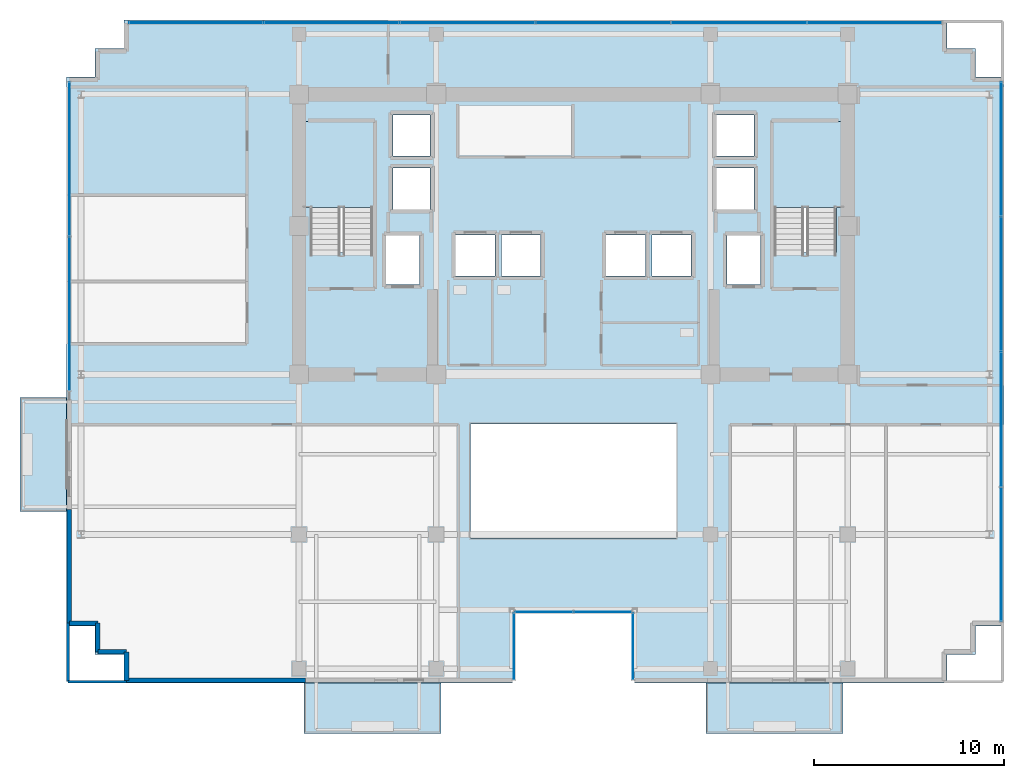
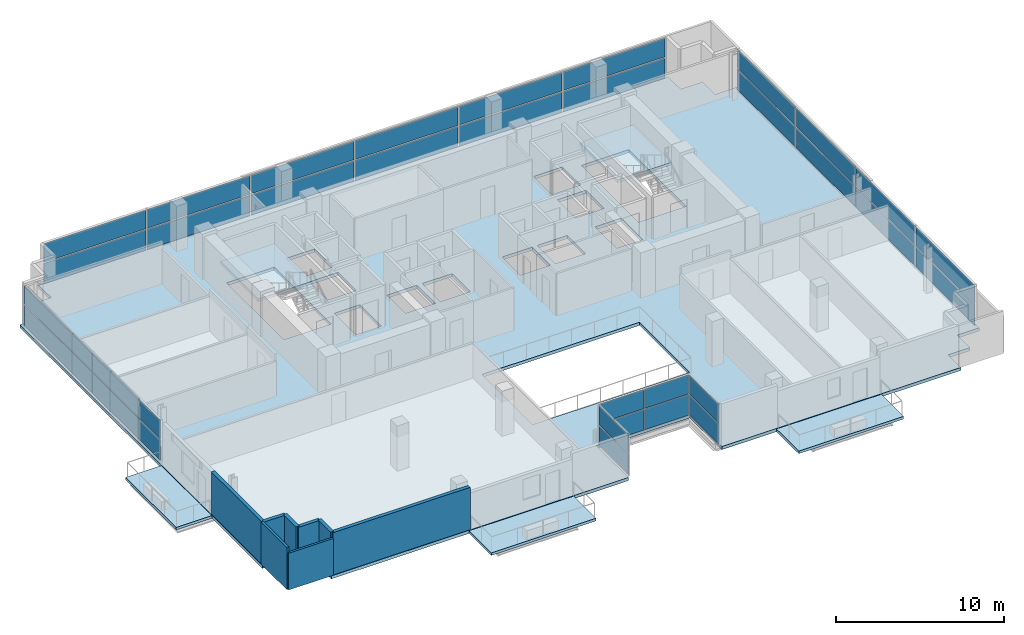
# One storey, part 13 of 21: 32 plates, 8 walls, 6 slabs, 8 elements without a shape of their own.
"""IFC4 building model written with IfcOpenShell, lengths in metres."""

from ifc_helpers import new_model, si_unit, direction, frame, frame_2d, origin, origin_2d, place, context, subcontext, project, spatial, polyline, rectangle, outline, extrude, source, transform, mapped, material, layer, layer_set, type_object, element, aggregate, save


model = new_model("IFC4")

# Units and contexts
model_context = context("Model", 3, precision=1e-05, world=origin(), true_north=direction((0.0, 1.0)))
body_context = subcontext(model_context, "Body", "Model", "MODEL_VIEW")
ifc_project = project(units=[si_unit("LENGTHUNIT", "METRE"), si_unit("AREAUNIT", "SQUARE_METRE"), si_unit("VOLUMEUNIT", "CUBIC_METRE"), si_unit("PLANEANGLEUNIT", "RADIAN"), si_unit("MASSUNIT", "GRAM", prefix="KILO")], contexts=[model_context])

# Site, building, storey
site_placement = place(None, origin())
site = spatial("IfcSite", under=ifc_project, at=site_placement, CompositionType="ELEMENT")
building_placement = place(site_placement, origin())
building = spatial("IfcBuilding", under=site, at=building_placement, Name="Zarnakvel Exchange Tower", CompositionType="ELEMENT")
storey_placement = place(building_placement, frame((0.0, 0.0, 152.800048828125)))
storey = spatial("IfcBuildingStorey", under=building, at=storey_placement, Name="L42", CompositionType="ELEMENT", Elevation=152.800048828125)

# Stair, slab
ifc_material_1 = material(Name="Concrete C40/50", Category="concrete")
stair_type = type_object("IfcStairType", Name="STR-01", PredefinedType="HALF_TURN_STAIR", material=ifc_material_1)
stair_1_placement = place(storey_placement, origin())
stair_1 = element("IfcStair", 1, at=stair_1_placement, inside=storey, type_object=stair_type, Name="L42 Protected Core Exit Stair ST-01", PredefinedType="HALF_TURN_STAIR")
ifc_layer_1 = layer(ifc_material_1, 0.199951171875)
ifc_layer_set_1 = layer_set([ifc_layer_1], Name="Concrete C40/50")
slab_type_1 = type_object("IfcSlabType", Name="LDG-01", PredefinedType="LANDING", material=ifc_layer_set_1)
slab_1_placement = place(storey_placement, frame((0.0, 0.0, 1.449951171875)))
slab_1 = element("IfcSlab", 2, at=slab_1_placement, type_object=slab_type_1, Name="ST-01 landing 1", PredefinedType="LANDING", context=body_context, shape_type="SweptSolid", body=[
    extrude(outline(polyline([(-14.18994140625, 7.570068359375), (-10.4599609375, 7.570068359375), (-10.4599609375, 12.080078125), (-14.18994140625, 12.080078125), (-14.18994140625, 7.570068359375)])), origin(), (0.0, 0.0, 1.0), 0.199951171875),
])
aggregate(stair_1, [slab_1])

stair_2_placement = place(storey_placement, origin())
stair_2 = element("IfcStair", 3, at=stair_2_placement, inside=storey, type_object=stair_type, Name="L42 Protected Core Exit Stair ST-02", PredefinedType="HALF_TURN_STAIR")
slab_2_placement = place(storey_placement, frame((0.0, 0.0, 1.449951171875)))
slab_2 = element("IfcSlab", 4, at=slab_2_placement, type_object=slab_type_1, Name="ST-02 landing 1", PredefinedType="LANDING", context=body_context, shape_type="SweptSolid", body=[
    extrude(outline(polyline([(10.4599609375, 7.570068359375), (14.18994140625, 7.570068359375), (14.18994140625, 12.080078125), (10.4599609375, 12.080078125), (10.4599609375, 7.570068359375)])), origin(), (0.0, 0.0, 1.0), 0.199951171875),
])
aggregate(stair_2, [slab_2])

# Slabs
ifc_layer_2 = layer(ifc_material_1, 0.22509765625)
ifc_layer_set_2 = layer_set([ifc_layer_2], Name="Concrete C40/50")
slab_type_2 = type_object("IfcSlabType", Name="SL-04", PredefinedType="FLOOR", material=ifc_layer_set_2)
slab_3_placement = place(storey_placement, frame((0.0, 0.0, -0.22509765625)))
element("IfcSlab", 5, at=slab_3_placement, inside=storey, type_object=slab_type_2, Name="L42 Primary Structural Floor Slab", PredefinedType="FLOOR", context=body_context, shape_type="SweptSolid", body=[
    extrude(outline(polyline([(-26.60009765625, -14.39990234375), (-25.10009765625, -14.39990234375), (-25.10009765625, -15.89990234375), (-23.60009765625, -15.89990234375), (-23.60009765625, -17.39990234375), (-3.199951171875, -17.39990234375), (-3.199951171875, -13.60009765625), (3.199951171875, -13.60009765625), (3.199951171875, -17.39990234375), (19.60009765625, -17.39990234375), (19.60009765625, -15.89990234375), (21.10009765625, -15.89990234375), (21.10009765625, -14.39990234375), (22.60009765625, -14.39990234375), (22.60009765625, 14.39990234375), (21.10009765625, 14.39990234375), (21.10009765625, 15.89990234375), (19.60009765625, 15.89990234375), (19.60009765625, 17.39990234375), (-23.60009765625, 17.39990234375), (-23.60009765625, 15.89990234375), (-25.10009765625, 15.89990234375), (-25.10009765625, 14.39990234375), (-26.60009765625, 14.39990234375), (-26.60009765625, -14.39990234375)]), holes=[polyline([(-5.39990234375, -9.800048828125), (5.39990234375, -9.800048828125), (5.39990234375, -3.800048828125), (-5.39990234375, -3.800048828125), (-5.39990234375, -9.800048828125)]), polyline([(-13.800048828125, 5.2099609375), (-10.5400390625, 5.2099609375), (-10.5400390625, 12.0), (-13.800048828125, 12.0), (-13.800048828125, 5.2099609375)]), polyline([(10.5400390625, 5.2099609375), (13.800048828125, 5.2099609375), (13.800048828125, 12.0), (10.5400390625, 12.0), (10.5400390625, 5.2099609375)]), polyline([(-9.830078125, 3.52001953125), (-8.070068359375, 3.52001953125), (-8.070068359375, 6.080078125), (-9.830078125, 6.080078125), (-9.830078125, 3.52001953125)]), polyline([(8.070068359375, 3.52001953125), (9.830078125, 3.52001953125), (9.830078125, 6.080078125), (8.070068359375, 6.080078125), (8.070068359375, 3.52001953125)]), polyline([(-6.179931640625, 3.969970703125), (-4.1201171875, 3.969970703125), (-4.1201171875, 6.1298828125), (-6.179931640625, 6.1298828125), (-6.179931640625, 3.969970703125)]), polyline([(-3.780029296875, 3.969970703125), (-1.719970703125, 3.969970703125), (-1.719970703125, 6.1298828125), (-3.780029296875, 6.1298828125), (-3.780029296875, 3.969970703125)]), polyline([(1.719970703125, 3.969970703125), (3.780029296875, 3.969970703125), (3.780029296875, 6.1298828125), (1.719970703125, 6.1298828125), (1.719970703125, 3.969970703125)]), polyline([(4.1201171875, 3.969970703125), (6.179931640625, 3.969970703125), (6.179931640625, 6.1298828125), (4.1201171875, 6.1298828125), (4.1201171875, 3.969970703125)]), polyline([(-9.47998046875, 7.469970703125), (-7.52001953125, 7.469970703125), (-7.52001953125, 9.6298828125), (-9.47998046875, 9.6298828125), (-9.47998046875, 7.469970703125)]), polyline([(-9.47998046875, 10.27001953125), (-7.52001953125, 10.27001953125), (-7.52001953125, 12.429931640625), (-9.47998046875, 12.429931640625), (-9.47998046875, 10.27001953125)]), polyline([(7.52001953125, 7.469970703125), (9.47998046875, 7.469970703125), (9.47998046875, 9.6298828125), (7.52001953125, 9.6298828125), (7.52001953125, 7.469970703125)]), polyline([(7.52001953125, 10.27001953125), (9.47998046875, 10.27001953125), (9.47998046875, 12.429931640625), (7.52001953125, 12.429931640625), (7.52001953125, 10.27001953125)])]), origin(), (0.0, 0.0, 1.0), 0.22509765625),
])
ifc_layer_3 = layer(ifc_material_1, 0.18994140625)
ifc_layer_set_3 = layer_set([ifc_layer_3], Name="Concrete C40/50")
slab_type_3 = type_object("IfcSlabType", Name="SL-08", PredefinedType="USERDEFINED", material=ifc_layer_set_3)
slab_4_placement = place(storey_placement, frame((0.0, 0.0, -0.22509765625)))
element("IfcSlab", 6, at=slab_4_placement, inside=storey, type_object=slab_type_3, Name="L42 Planted Loggia Balcony Slab BAL-L42-SW", ObjectType="BALCONY", PredefinedType="USERDEFINED", context=body_context, shape_type="SweptSolid", body=[
    extrude(outline(polyline([(-14.14990234375, -20.050048828125), (-6.949951171875, -20.050048828125), (-6.949951171875, -17.39990234375), (-14.14990234375, -17.39990234375), (-14.14990234375, -20.050048828125)])), origin(), (0.0, 0.0, 1.0), 0.18994140625),
])
slab_5_placement = place(storey_placement, frame((0.0, 0.0, -0.22509765625)))
element("IfcSlab", 7, at=slab_5_placement, inside=storey, type_object=slab_type_3, Name="L42 Planted Loggia Balcony Slab BAL-L42-SE", ObjectType="BALCONY", PredefinedType="USERDEFINED", context=body_context, shape_type="SweptSolid", body=[
    extrude(outline(polyline([(6.949951171875, -20.050048828125), (14.14990234375, -20.050048828125), (14.14990234375, -17.39990234375), (6.949951171875, -17.39990234375), (6.949951171875, -20.050048828125)])), origin(), (0.0, 0.0, 1.0), 0.18994140625),
])
slab_6_placement = place(storey_placement, frame((0.0, 0.0, -0.22509765625)))
element("IfcSlab", 8, at=slab_6_placement, inside=storey, type_object=slab_type_3, Name="L42 Planted Loggia Balcony Slab BAL-L42-W", ObjectType="BALCONY", PredefinedType="USERDEFINED", context=body_context, shape_type="SweptSolid", body=[
    extrude(outline(polyline([(-29.050048828125, -8.39990234375), (-26.60009765625, -8.39990234375), (-26.60009765625, -2.39990234375), (-29.050048828125, -2.39990234375), (-29.050048828125, -8.39990234375)])), origin(), (0.0, 0.0, 1.0), 0.18994140625),
])

# Curtain wall, plate
ifc_material_2 = material(Name="Architectural Bronze Anodised Aluminium", Category="aluminium")
ifc_layer_4 = layer(ifc_material_2, 0.179931640625)
ifc_layer_set_4 = layer_set([ifc_layer_4], Name="Architectural Bronze Anodised Aluminium")
curtain_wall_type_1 = type_object("IfcCurtainWallType", Name="CW-05", PredefinedType="NOTDEFINED", material=ifc_layer_set_4)
curtain_wall_1_placement = place(storey_placement, origin())
curtain_wall_1 = element("IfcCurtainWall", 9, at=curtain_wall_1_placement, inside=storey, type_object=curtain_wall_type_1, Name="L42 Curtain Wall CW-L42-SLW (CW-05)", PredefinedType="NOTDEFINED")
ifc_material_3 = material(Name="Double Low-E Laminated Vision Glass", Category="glass")
ifc_layer_5 = layer(ifc_material_3, 0.02587890625)
ifc_layer_set_5 = layer_set([ifc_layer_5], Name="Double Low-E Laminated Vision Glass")
plate_type_1 = type_object("IfcPlateType", Name="CWP-05", PredefinedType="CURTAIN_PANEL", material=ifc_layer_set_5)
shared_shape_1 = source(origin(), body_context, "Body", "SweptSolid", [
    extrude(rectangle(XDim=3.4599609375, YDim=0.02587890625, at=origin_2d()), origin(), (0.0, 0.0, 1.0), 1.483642578125),
])
plate_1_placement = place(storey_placement, frame((-3.1201171875, -15.47998046875, 0.06982421875), z_axis=(0.0, 0.0, 1.0), x_axis=(0.0, 1.0, 0.0)))
plate_1 = element("IfcPlate", 10, at=plate_1_placement, type_object=plate_type_1, Name="CW-05 panel 1.1", PredefinedType="CURTAIN_PANEL", context=body_context, shape_type="MappedRepresentation", body=[
    mapped(shared_shape_1, transform((0.0, 0.0, 0.0), x_axis=(1.0, 0.0, 0.0), y_axis=(0.0, 1.0, 0.0), z_axis=(0.0, 0.0, 1.0), scale=1.0)),
])

curtain_wall_2_placement = place(storey_placement, origin())
curtain_wall_2 = element("IfcCurtainWall", 11, at=curtain_wall_2_placement, inside=storey, type_object=curtain_wall_type_1, Name="L42 Curtain Wall CW-L42-SLE (CW-05)", PredefinedType="NOTDEFINED")
plate_2_placement = place(storey_placement, frame((3.1201171875, -15.47998046875, 0.06982421875), z_axis=(0.0, 0.0, 1.0), x_axis=(0.0, -1.0, 0.0)))
plate_2 = element("IfcPlate", 12, at=plate_2_placement, type_object=plate_type_1, Name="CW-05 panel 1.1", PredefinedType="CURTAIN_PANEL", context=body_context, shape_type="MappedRepresentation", body=[
    mapped(shared_shape_1, transform((0.0, 0.0, 0.0), x_axis=(1.0, 0.0, 0.0), y_axis=(0.0, 1.0, 0.0), z_axis=(0.0, 0.0, 1.0), scale=1.0)),
])

# Plate
shared_shape_2 = source(origin(), body_context, "Body", "SweptSolid", [
    extrude(rectangle(XDim=3.4599609375, YDim=0.02587890625, at=origin_2d()), origin(), (0.0, 0.0, 1.0), 1.361328125),
])
plate_3_placement = place(storey_placement, frame((-3.1201171875, -15.47998046875, 1.62353515625), z_axis=(0.0, 0.0, 1.0), x_axis=(0.0, 1.0, 0.0)))
plate_3 = element("IfcPlate", 13, at=plate_3_placement, type_object=plate_type_1, Name="CW-05 panel 1.2", PredefinedType="CURTAIN_PANEL", context=body_context, shape_type="MappedRepresentation", body=[
    mapped(shared_shape_2, transform((0.0, 0.0, 0.0), x_axis=(1.0, 0.0, 0.0), y_axis=(0.0, 1.0, 0.0), z_axis=(0.0, 0.0, 1.0), scale=1.0)),
])

aggregate(curtain_wall_1, [plate_1, plate_3])

plate_4_placement = place(storey_placement, frame((3.1201171875, -15.47998046875, 1.62353515625), z_axis=(0.0, 0.0, 1.0), x_axis=(0.0, -1.0, 0.0)))
plate_4 = element("IfcPlate", 14, at=plate_4_placement, type_object=plate_type_1, Name="CW-05 panel 1.2", PredefinedType="CURTAIN_PANEL", context=body_context, shape_type="MappedRepresentation", body=[
    mapped(shared_shape_2, transform((0.0, 0.0, 0.0), x_axis=(1.0, 0.0, 0.0), y_axis=(0.0, 1.0, 0.0), z_axis=(0.0, 0.0, 1.0), scale=1.0)),
])

aggregate(curtain_wall_2, [plate_2, plate_4])

# Curtain wall, plates
curtain_wall_3_placement = place(storey_placement, origin())
curtain_wall_3 = element("IfcCurtainWall", 15, at=curtain_wall_3_placement, inside=storey, type_object=curtain_wall_type_1, Name="L42 Curtain Wall CW-L42-SLB (CW-05)", PredefinedType="NOTDEFINED")
shared_shape_3 = source(origin(), body_context, "Body", "SweptSolid", [
    extrude(rectangle(XDim=3.014892578125, YDim=0.02587890625, at=origin_2d()), origin(), (0.0, 0.0, 1.0), 1.483642578125),
])
plate_5_placement = place(storey_placement, frame((-1.54248046875, -13.679931640625, 0.06982421875), z_axis=(0.0, 0.0, 1.0), x_axis=(1.0, 0.0, 0.0)))
plate_5 = element("IfcPlate", 16, at=plate_5_placement, type_object=plate_type_1, Name="CW-05 panel 1.1", PredefinedType="CURTAIN_PANEL", context=body_context, shape_type="MappedRepresentation", body=[
    mapped(shared_shape_3, transform((0.0, 0.0, 0.0), x_axis=(1.0, 0.0, 0.0), y_axis=(0.0, 1.0, 0.0), z_axis=(0.0, 0.0, 1.0), scale=1.0)),
])
plate_6_placement = place(storey_placement, frame((1.54248046875, -13.679931640625, 0.06982421875), z_axis=(0.0, 0.0, 1.0), x_axis=(1.0, 0.0, 0.0)))
plate_6 = element("IfcPlate", 17, at=plate_6_placement, type_object=plate_type_1, Name="CW-05 panel 2.1", PredefinedType="CURTAIN_PANEL", context=body_context, shape_type="MappedRepresentation", body=[
    mapped(shared_shape_3, transform((0.0, 0.0, 0.0), x_axis=(1.0, 0.0, 0.0), y_axis=(0.0, 1.0, 0.0), z_axis=(0.0, 0.0, 1.0), scale=1.0)),
])
shared_shape_4 = source(origin(), body_context, "Body", "SweptSolid", [
    extrude(rectangle(XDim=3.014892578125, YDim=0.02587890625, at=origin_2d()), origin(), (0.0, 0.0, 1.0), 1.361328125),
])
plate_7_placement = place(storey_placement, frame((-1.54248046875, -13.679931640625, 1.62353515625), z_axis=(0.0, 0.0, 1.0), x_axis=(1.0, 0.0, 0.0)))
plate_7 = element("IfcPlate", 18, at=plate_7_placement, type_object=plate_type_1, Name="CW-05 panel 1.2", PredefinedType="CURTAIN_PANEL", context=body_context, shape_type="MappedRepresentation", body=[
    mapped(shared_shape_4, transform((0.0, 0.0, 0.0), x_axis=(1.0, 0.0, 0.0), y_axis=(0.0, 1.0, 0.0), z_axis=(0.0, 0.0, 1.0), scale=1.0)),
])
plate_8_placement = place(storey_placement, frame((1.54248046875, -13.679931640625, 1.62353515625), z_axis=(0.0, 0.0, 1.0), x_axis=(1.0, 0.0, 0.0)))
plate_8 = element("IfcPlate", 19, at=plate_8_placement, type_object=plate_type_1, Name="CW-05 panel 2.2", PredefinedType="CURTAIN_PANEL", context=body_context, shape_type="MappedRepresentation", body=[
    mapped(shared_shape_4, transform((0.0, 0.0, 0.0), x_axis=(1.0, 0.0, 0.0), y_axis=(0.0, 1.0, 0.0), z_axis=(0.0, 0.0, 1.0), scale=1.0)),
])
aggregate(curtain_wall_3, [plate_5, plate_7, plate_6, plate_8])

ifc_layer_6 = layer(ifc_material_2, 0.219970703125)
ifc_layer_set_6 = layer_set([ifc_layer_6], Name="Architectural Bronze Anodised Aluminium")
curtain_wall_type_2 = type_object("IfcCurtainWallType", Name="CW-03", PredefinedType="NOTDEFINED", material=ifc_layer_set_6)
curtain_wall_4_placement = place(storey_placement, origin())
curtain_wall_4 = element("IfcCurtainWall", 20, at=curtain_wall_4_placement, inside=storey, type_object=curtain_wall_type_2, Name="L42 Curtain Wall CW-L42-N1 (CW-03)", PredefinedType="NOTDEFINED")
ifc_layer_7 = layer(ifc_material_3, 0.030029296875)
ifc_layer_set_7 = layer_set([ifc_layer_7], Name="Double Low-E Laminated Vision Glass")
plate_type_2 = type_object("IfcPlateType", Name="CWP-03", PredefinedType="CURTAIN_PANEL", material=ifc_layer_set_7)
shared_shape_5 = source(origin(), body_context, "Body", "SweptSolid", [
    extrude(rectangle(XDim=7.013427734375, YDim=0.030029296875, at=origin_2d()), origin(), (0.0, 0.0, 1.0), 1.468505859375),
])
plate_9_placement = place(storey_placement, frame((-19.813232421875, 17.260009765625, 0.080078125), z_axis=(0.0, 0.0, 1.0), x_axis=(1.0, 0.0, 0.0)))
plate_9 = element("IfcPlate", 21, at=plate_9_placement, type_object=plate_type_2, Name="CW-03 panel 1.1", PredefinedType="CURTAIN_PANEL", context=body_context, shape_type="MappedRepresentation", body=[
    mapped(shared_shape_5, transform((0.0, 0.0, 0.0), x_axis=(1.0, 0.0, 0.0), y_axis=(0.0, 1.0, 0.0), z_axis=(0.0, 0.0, 1.0), scale=1.0)),
])
plate_10_placement = place(storey_placement, frame((15.813232421875, 17.260009765625, 0.080078125), z_axis=(0.0, 0.0, 1.0), x_axis=(1.0, 0.0, 0.0)))
plate_10 = element("IfcPlate", 22, at=plate_10_placement, type_object=plate_type_2, Name="CW-03 panel 6.1", PredefinedType="CURTAIN_PANEL", context=body_context, shape_type="MappedRepresentation", body=[
    mapped(shared_shape_5, transform((0.0, 0.0, 0.0), x_axis=(1.0, 0.0, 0.0), y_axis=(0.0, 1.0, 0.0), z_axis=(0.0, 0.0, 1.0), scale=1.0)),
])
shared_shape_6 = source(origin(), body_context, "Body", "SweptSolid", [
    extrude(rectangle(XDim=7.013427734375, YDim=0.030029296875, at=origin_2d()), origin(), (0.0, 0.0, 1.0), 1.346435546875),
])
plate_11_placement = place(storey_placement, frame((-19.813232421875, 17.260009765625, 1.62841796875), z_axis=(0.0, 0.0, 1.0), x_axis=(1.0, 0.0, 0.0)))
plate_11 = element("IfcPlate", 23, at=plate_11_placement, type_object=plate_type_2, Name="CW-03 panel 1.2", PredefinedType="CURTAIN_PANEL", context=body_context, shape_type="MappedRepresentation", body=[
    mapped(shared_shape_6, transform((0.0, 0.0, 0.0), x_axis=(1.0, 0.0, 0.0), y_axis=(0.0, 1.0, 0.0), z_axis=(0.0, 0.0, 1.0), scale=1.0)),
])
plate_12_placement = place(storey_placement, frame((15.813232421875, 17.260009765625, 1.62841796875), z_axis=(0.0, 0.0, 1.0), x_axis=(1.0, 0.0, 0.0)))
plate_12 = element("IfcPlate", 24, at=plate_12_placement, type_object=plate_type_2, Name="CW-03 panel 6.2", PredefinedType="CURTAIN_PANEL", context=body_context, shape_type="MappedRepresentation", body=[
    mapped(shared_shape_6, transform((0.0, 0.0, 0.0), x_axis=(1.0, 0.0, 0.0), y_axis=(0.0, 1.0, 0.0), z_axis=(0.0, 0.0, 1.0), scale=1.0)),
])
shared_shape_7 = source(origin(), body_context, "Body", "SweptSolid", [
    extrude(rectangle(XDim=7.05322265625, YDim=0.030029296875, at=origin_2d()), origin(), (0.0, 0.0, 1.0), 1.468505859375),
])
plate_13_placement = place(storey_placement, frame((-12.699951171875, 17.260009765625, 0.080078125), z_axis=(0.0, 0.0, 1.0), x_axis=(1.0, 0.0, 0.0)))
plate_13 = element("IfcPlate", 25, at=plate_13_placement, type_object=plate_type_2, Name="CW-03 panel 2.1", PredefinedType="CURTAIN_PANEL", context=body_context, shape_type="MappedRepresentation", body=[
    mapped(shared_shape_7, transform((0.0, 0.0, 0.0), x_axis=(1.0, 0.0, 0.0), y_axis=(0.0, 1.0, 0.0), z_axis=(0.0, 0.0, 1.0), scale=1.0)),
])
plate_14_placement = place(storey_placement, frame((-5.566650390625, 17.260009765625, 0.080078125), z_axis=(0.0, 0.0, 1.0), x_axis=(1.0, 0.0, 0.0)))
plate_14 = element("IfcPlate", 26, at=plate_14_placement, type_object=plate_type_2, Name="CW-03 panel 3.1", PredefinedType="CURTAIN_PANEL", context=body_context, shape_type="MappedRepresentation", body=[
    mapped(shared_shape_7, transform((0.0, 0.0, 0.0), x_axis=(1.0, 0.0, 0.0), y_axis=(0.0, 1.0, 0.0), z_axis=(0.0, 0.0, 1.0), scale=1.0)),
])
plate_15_placement = place(storey_placement, frame((1.566650390625, 17.260009765625, 0.080078125), z_axis=(0.0, 0.0, 1.0), x_axis=(1.0, 0.0, 0.0)))
plate_15 = element("IfcPlate", 27, at=plate_15_placement, type_object=plate_type_2, Name="CW-03 panel 4.1", PredefinedType="CURTAIN_PANEL", context=body_context, shape_type="MappedRepresentation", body=[
    mapped(shared_shape_7, transform((0.0, 0.0, 0.0), x_axis=(1.0, 0.0, 0.0), y_axis=(0.0, 1.0, 0.0), z_axis=(0.0, 0.0, 1.0), scale=1.0)),
])
plate_16_placement = place(storey_placement, frame((8.699951171875, 17.260009765625, 0.080078125), z_axis=(0.0, 0.0, 1.0), x_axis=(1.0, 0.0, 0.0)))
plate_16 = element("IfcPlate", 28, at=plate_16_placement, type_object=plate_type_2, Name="CW-03 panel 5.1", PredefinedType="CURTAIN_PANEL", context=body_context, shape_type="MappedRepresentation", body=[
    mapped(shared_shape_7, transform((0.0, 0.0, 0.0), x_axis=(1.0, 0.0, 0.0), y_axis=(0.0, 1.0, 0.0), z_axis=(0.0, 0.0, 1.0), scale=1.0)),
])
shared_shape_8 = source(origin(), body_context, "Body", "SweptSolid", [
    extrude(rectangle(XDim=7.05322265625, YDim=0.030029296875, at=origin_2d()), origin(), (0.0, 0.0, 1.0), 1.346435546875),
])
plate_17_placement = place(storey_placement, frame((-12.699951171875, 17.260009765625, 1.62841796875), z_axis=(0.0, 0.0, 1.0), x_axis=(1.0, 0.0, 0.0)))
plate_17 = element("IfcPlate", 29, at=plate_17_placement, type_object=plate_type_2, Name="CW-03 panel 2.2", PredefinedType="CURTAIN_PANEL", context=body_context, shape_type="MappedRepresentation", body=[
    mapped(shared_shape_8, transform((0.0, 0.0, 0.0), x_axis=(1.0, 0.0, 0.0), y_axis=(0.0, 1.0, 0.0), z_axis=(0.0, 0.0, 1.0), scale=1.0)),
])
plate_18_placement = place(storey_placement, frame((-5.566650390625, 17.260009765625, 1.62841796875), z_axis=(0.0, 0.0, 1.0), x_axis=(1.0, 0.0, 0.0)))
plate_18 = element("IfcPlate", 30, at=plate_18_placement, type_object=plate_type_2, Name="CW-03 panel 3.2", PredefinedType="CURTAIN_PANEL", context=body_context, shape_type="MappedRepresentation", body=[
    mapped(shared_shape_8, transform((0.0, 0.0, 0.0), x_axis=(1.0, 0.0, 0.0), y_axis=(0.0, 1.0, 0.0), z_axis=(0.0, 0.0, 1.0), scale=1.0)),
])
plate_19_placement = place(storey_placement, frame((1.566650390625, 17.260009765625, 1.62841796875), z_axis=(0.0, 0.0, 1.0), x_axis=(1.0, 0.0, 0.0)))
plate_19 = element("IfcPlate", 31, at=plate_19_placement, type_object=plate_type_2, Name="CW-03 panel 4.2", PredefinedType="CURTAIN_PANEL", context=body_context, shape_type="MappedRepresentation", body=[
    mapped(shared_shape_8, transform((0.0, 0.0, 0.0), x_axis=(1.0, 0.0, 0.0), y_axis=(0.0, 1.0, 0.0), z_axis=(0.0, 0.0, 1.0), scale=1.0)),
])
plate_20_placement = place(storey_placement, frame((8.699951171875, 17.260009765625, 1.62841796875), z_axis=(0.0, 0.0, 1.0), x_axis=(1.0, 0.0, 0.0)))
plate_20 = element("IfcPlate", 32, at=plate_20_placement, type_object=plate_type_2, Name="CW-03 panel 5.2", PredefinedType="CURTAIN_PANEL", context=body_context, shape_type="MappedRepresentation", body=[
    mapped(shared_shape_8, transform((0.0, 0.0, 0.0), x_axis=(1.0, 0.0, 0.0), y_axis=(0.0, 1.0, 0.0), z_axis=(0.0, 0.0, 1.0), scale=1.0)),
])
aggregate(curtain_wall_4, [plate_9, plate_11, plate_13, plate_17, plate_14, plate_18, plate_15, plate_19, plate_16, plate_20, plate_10, plate_12])

ifc_layer_8 = layer(ifc_material_2, 0.199951171875)
ifc_layer_set_8 = layer_set([ifc_layer_8], Name="Architectural Bronze Anodised Aluminium")
curtain_wall_type_3 = type_object("IfcCurtainWallType", Name="CW-04", PredefinedType="NOTDEFINED", material=ifc_layer_set_8)
curtain_wall_5_placement = place(storey_placement, origin())
curtain_wall_5 = element("IfcCurtainWall", 33, at=curtain_wall_5_placement, inside=storey, type_object=curtain_wall_type_3, Name="L42 Curtain Wall CW-L42-WN (CW-04)", PredefinedType="NOTDEFINED")
ifc_layer_9 = layer(ifc_material_3, 0.028076171875)
ifc_layer_set_9 = layer_set([ifc_layer_9], Name="Double Low-E Laminated Vision Glass")
plate_type_3 = type_object("IfcPlateType", Name="CWP-04", PredefinedType="CURTAIN_PANEL", material=ifc_layer_set_9)
shared_shape_9 = source(origin(), body_context, "Body", "SweptSolid", [
    extrude(rectangle(XDim=8.03759765625, YDim=0.028076171875, at=origin_2d()), origin(), (0.0, 0.0, 1.0), 1.47607421875),
])
plate_21_placement = place(storey_placement, frame((-26.4599609375, 1.99365234375, 0.074951171875), z_axis=(0.0, 0.0, 1.0), x_axis=(0.0, 1.0, 0.0)))
plate_21 = element("IfcPlate", 34, at=plate_21_placement, type_object=plate_type_3, Name="CW-04 panel 1.1", PredefinedType="CURTAIN_PANEL", context=body_context, shape_type="MappedRepresentation", body=[
    mapped(shared_shape_9, transform((0.0, 0.0, 0.0), x_axis=(1.0, 0.0, 0.0), y_axis=(0.0, 1.0, 0.0), z_axis=(0.0, 0.0, 1.0), scale=1.0)),
])
plate_22_placement = place(storey_placement, frame((-26.4599609375, 10.106201171875, 0.074951171875), z_axis=(0.0, 0.0, 1.0), x_axis=(0.0, 1.0, 0.0)))
plate_22 = element("IfcPlate", 35, at=plate_22_placement, type_object=plate_type_3, Name="CW-04 panel 2.1", PredefinedType="CURTAIN_PANEL", context=body_context, shape_type="MappedRepresentation", body=[
    mapped(shared_shape_9, transform((0.0, 0.0, 0.0), x_axis=(1.0, 0.0, 0.0), y_axis=(0.0, 1.0, 0.0), z_axis=(0.0, 0.0, 1.0), scale=1.0)),
])
shared_shape_10 = source(origin(), body_context, "Body", "SweptSolid", [
    extrude(rectangle(XDim=8.03759765625, YDim=0.028076171875, at=origin_2d()), origin(), (0.0, 0.0, 1.0), 1.35400390625),
])
plate_23_placement = place(storey_placement, frame((-26.4599609375, 1.99365234375, 1.6259765625), z_axis=(0.0, 0.0, 1.0), x_axis=(0.0, 1.0, 0.0)))
plate_23 = element("IfcPlate", 36, at=plate_23_placement, type_object=plate_type_3, Name="CW-04 panel 1.2", PredefinedType="CURTAIN_PANEL", context=body_context, shape_type="MappedRepresentation", body=[
    mapped(shared_shape_10, transform((0.0, 0.0, 0.0), x_axis=(1.0, 0.0, 0.0), y_axis=(0.0, 1.0, 0.0), z_axis=(0.0, 0.0, 1.0), scale=1.0)),
])
plate_24_placement = place(storey_placement, frame((-26.4599609375, 10.106201171875, 1.6259765625), z_axis=(0.0, 0.0, 1.0), x_axis=(0.0, 1.0, 0.0)))
plate_24 = element("IfcPlate", 37, at=plate_24_placement, type_object=plate_type_3, Name="CW-04 panel 2.2", PredefinedType="CURTAIN_PANEL", context=body_context, shape_type="MappedRepresentation", body=[
    mapped(shared_shape_10, transform((0.0, 0.0, 0.0), x_axis=(1.0, 0.0, 0.0), y_axis=(0.0, 1.0, 0.0), z_axis=(0.0, 0.0, 1.0), scale=1.0)),
])
aggregate(curtain_wall_5, [plate_21, plate_23, plate_22, plate_24])

curtain_wall_6_placement = place(storey_placement, origin())
curtain_wall_6 = element("IfcCurtainWall", 38, at=curtain_wall_6_placement, inside=storey, type_object=curtain_wall_type_3, Name="L42 Curtain Wall CW-L42-E1 (CW-04)", PredefinedType="NOTDEFINED")
shared_shape_11 = source(origin(), body_context, "Body", "SweptSolid", [
    extrude(rectangle(XDim=6.987548828125, YDim=0.028076171875, at=origin_2d()), origin(), (0.0, 0.0, 1.0), 1.47607421875),
])
plate_25_placement = place(storey_placement, frame((22.4599609375, -10.63134765625, 0.074951171875), z_axis=(0.0, 0.0, 1.0), x_axis=(0.0, 1.0, 0.0)))
plate_25 = element("IfcPlate", 39, at=plate_25_placement, type_object=plate_type_3, Name="CW-04 panel 1.1", PredefinedType="CURTAIN_PANEL", context=body_context, shape_type="MappedRepresentation", body=[
    mapped(shared_shape_11, transform((0.0, 0.0, 0.0), x_axis=(1.0, 0.0, 0.0), y_axis=(0.0, 1.0, 0.0), z_axis=(0.0, 0.0, 1.0), scale=1.0)),
])
plate_26_placement = place(storey_placement, frame((22.4599609375, 10.63134765625, 0.074951171875), z_axis=(0.0, 0.0, 1.0), x_axis=(0.0, 1.0, 0.0)))
plate_26 = element("IfcPlate", 40, at=plate_26_placement, type_object=plate_type_3, Name="CW-04 panel 4.1", PredefinedType="CURTAIN_PANEL", context=body_context, shape_type="MappedRepresentation", body=[
    mapped(shared_shape_11, transform((0.0, 0.0, 0.0), x_axis=(1.0, 0.0, 0.0), y_axis=(0.0, 1.0, 0.0), z_axis=(0.0, 0.0, 1.0), scale=1.0)),
])
shared_shape_12 = source(origin(), body_context, "Body", "SweptSolid", [
    extrude(rectangle(XDim=6.987548828125, YDim=0.028076171875, at=origin_2d()), origin(), (0.0, 0.0, 1.0), 1.35400390625),
])
plate_27_placement = place(storey_placement, frame((22.4599609375, -10.63134765625, 1.6259765625), z_axis=(0.0, 0.0, 1.0), x_axis=(0.0, 1.0, 0.0)))
plate_27 = element("IfcPlate", 41, at=plate_27_placement, type_object=plate_type_3, Name="CW-04 panel 1.2", PredefinedType="CURTAIN_PANEL", context=body_context, shape_type="MappedRepresentation", body=[
    mapped(shared_shape_12, transform((0.0, 0.0, 0.0), x_axis=(1.0, 0.0, 0.0), y_axis=(0.0, 1.0, 0.0), z_axis=(0.0, 0.0, 1.0), scale=1.0)),
])
plate_28_placement = place(storey_placement, frame((22.4599609375, 10.63134765625, 1.6259765625), z_axis=(0.0, 0.0, 1.0), x_axis=(0.0, 1.0, 0.0)))
plate_28 = element("IfcPlate", 42, at=plate_28_placement, type_object=plate_type_3, Name="CW-04 panel 4.2", PredefinedType="CURTAIN_PANEL", context=body_context, shape_type="MappedRepresentation", body=[
    mapped(shared_shape_12, transform((0.0, 0.0, 0.0), x_axis=(1.0, 0.0, 0.0), y_axis=(0.0, 1.0, 0.0), z_axis=(0.0, 0.0, 1.0), scale=1.0)),
])
shared_shape_13 = source(origin(), body_context, "Body", "SweptSolid", [
    extrude(rectangle(XDim=7.02490234375, YDim=0.028076171875, at=origin_2d()), origin(), (0.0, 0.0, 1.0), 1.47607421875),
])
plate_29_placement = place(storey_placement, frame((22.4599609375, -3.550048828125, 0.074951171875), z_axis=(0.0, 0.0, 1.0), x_axis=(0.0, 1.0, 0.0)))
plate_29 = element("IfcPlate", 43, at=plate_29_placement, type_object=plate_type_3, Name="CW-04 panel 2.1", PredefinedType="CURTAIN_PANEL", context=body_context, shape_type="MappedRepresentation", body=[
    mapped(shared_shape_13, transform((0.0, 0.0, 0.0), x_axis=(1.0, 0.0, 0.0), y_axis=(0.0, 1.0, 0.0), z_axis=(0.0, 0.0, 1.0), scale=1.0)),
])
plate_30_placement = place(storey_placement, frame((22.4599609375, 3.550048828125, 0.074951171875), z_axis=(0.0, 0.0, 1.0), x_axis=(0.0, 1.0, 0.0)))
plate_30 = element("IfcPlate", 44, at=plate_30_placement, type_object=plate_type_3, Name="CW-04 panel 3.1", PredefinedType="CURTAIN_PANEL", context=body_context, shape_type="MappedRepresentation", body=[
    mapped(shared_shape_13, transform((0.0, 0.0, 0.0), x_axis=(1.0, 0.0, 0.0), y_axis=(0.0, 1.0, 0.0), z_axis=(0.0, 0.0, 1.0), scale=1.0)),
])
shared_shape_14 = source(origin(), body_context, "Body", "SweptSolid", [
    extrude(rectangle(XDim=7.02490234375, YDim=0.028076171875, at=origin_2d()), origin(), (0.0, 0.0, 1.0), 1.35400390625),
])
plate_31_placement = place(storey_placement, frame((22.4599609375, -3.550048828125, 1.6259765625), z_axis=(0.0, 0.0, 1.0), x_axis=(0.0, 1.0, 0.0)))
plate_31 = element("IfcPlate", 45, at=plate_31_placement, type_object=plate_type_3, Name="CW-04 panel 2.2", PredefinedType="CURTAIN_PANEL", context=body_context, shape_type="MappedRepresentation", body=[
    mapped(shared_shape_14, transform((0.0, 0.0, 0.0), x_axis=(1.0, 0.0, 0.0), y_axis=(0.0, 1.0, 0.0), z_axis=(0.0, 0.0, 1.0), scale=1.0)),
])
plate_32_placement = place(storey_placement, frame((22.4599609375, 3.550048828125, 1.6259765625), z_axis=(0.0, 0.0, 1.0), x_axis=(0.0, 1.0, 0.0)))
plate_32 = element("IfcPlate", 46, at=plate_32_placement, type_object=plate_type_3, Name="CW-04 panel 3.2", PredefinedType="CURTAIN_PANEL", context=body_context, shape_type="MappedRepresentation", body=[
    mapped(shared_shape_14, transform((0.0, 0.0, 0.0), x_axis=(1.0, 0.0, 0.0), y_axis=(0.0, 1.0, 0.0), z_axis=(0.0, 0.0, 1.0), scale=1.0)),
])
aggregate(curtain_wall_6, [plate_25, plate_27, plate_29, plate_31, plate_30, plate_32, plate_26, plate_28])

# Walls
ifc_material_4 = material(Name="Precast concrete C40/50", Category="concrete")
ifc_layer_10 = layer(ifc_material_4, 0.239990234375)
ifc_layer_set_10 = layer_set([ifc_layer_10], Name="Precast concrete C40/50")
wall_type_1 = type_object("IfcWallType", Name="EW-02", PredefinedType="SOLIDWALL", material=ifc_layer_set_10)
wall_1_placement = place(storey_placement, frame((-26.4599609375, -8.300048828125, 0.0), z_axis=(0.0, 0.0, 1.0), x_axis=(0.0, -1.0, 0.0)))
element("IfcWall", 47, at=wall_1_placement, inside=storey, type_object=wall_type_1, Name="L42 Exterior Precast Spandrel Wall EWC-L42-01 (EW-02)", PredefinedType="SOLIDWALL", context=body_context, shape_type="SweptSolid", body=[
    extrude(rectangle(XDim=5.9599609375, YDim=0.239990234375, at=frame_2d((2.97998046875, 0.0))), origin(), (0.0, 0.0, 1.0), 3.074951171875),
])
wall_2_placement = place(storey_placement, frame((-23.4599609375, -17.260009765625, 0.0), z_axis=(0.0, 0.0, 1.0), x_axis=(1.0, 0.0, 0.0)))
element("IfcWall", 48, at=wall_2_placement, inside=storey, type_object=wall_type_1, Name="L42 Exterior Precast Spandrel Wall EWC-L42-22 (EW-02)", PredefinedType="SOLIDWALL", context=body_context, shape_type="SweptSolid", body=[
    extrude(rectangle(XDim=9.409912109375, YDim=0.239990234375, at=frame_2d((4.705078125, 0.0))), origin(), (0.0, 0.0, 1.0), 3.074951171875),
])
for number, where, z_axis, x_axis, name in (
    (49, (-23.4599609375, -15.760009765625, 0.0), (0.0, 0.0, 1.0), (0.0, -1.0, 0.0), "L42 Exterior Precast Spandrel Wall EWC-L42-23 (EW-02)"),
    (50, (-24.9599609375, -15.760009765625, 0.0), (0.0, 0.0, 1.0), (1.0, 0.0, 0.0), "L42 Exterior Precast Spandrel Wall EWC-L42-24 (EW-02)"),
    (51, (-24.9599609375, -14.260009765625, 0.0), (0.0, 0.0, 1.0), (0.0, -1.0, 0.0), "L42 Exterior Precast Spandrel Wall EWC-L42-25 (EW-02)"),
    (52, (-26.4599609375, -14.260009765625, 0.0), (0.0, 0.0, 1.0), (1.0, 0.0, 0.0), "L42 Exterior Precast Spandrel Wall EWC-L42-26 (EW-02)"),
):
    element("IfcWall", number, at=place(storey_placement, frame(where, z_axis=z_axis, x_axis=x_axis)), inside=storey, type_object=wall_type_1, Name=name, PredefinedType="SOLIDWALL", context=body_context, shape_type="SweptSolid", body=[
        extrude(rectangle(XDim=1.5, YDim=0.239990234375, at=frame_2d((0.75, 0.0))), origin(), (0.0, 0.0, 1.0), 3.074951171875),
    ])
ifc_material_5 = material(Name="Fire-Rated Gypsum Stud Partition", Category="gypsum")
ifc_layer_11 = layer(ifc_material_5, 0.14990234375)
ifc_layer_set_11 = layer_set([ifc_layer_11], Name="Fire-Rated Gypsum Stud Partition")
wall_type_2 = type_object("IfcWallType", Name="PT-01", PredefinedType="PARTITIONING", material=ifc_layer_set_11)
wall_3_placement = place(storey_placement, frame((-23.4599609375, -17.330078125, 0.0), z_axis=(0.0, 0.0, 1.0), x_axis=(-1.0, 0.0, 0.0)))
element("IfcWall", 53, at=wall_3_placement, inside=storey, type_object=wall_type_2, Name="L42 Partition Wall PWALL-L42-027 (PT-01)", PredefinedType="PARTITIONING", context=body_context, shape_type="SweptSolid", body=[
    extrude(rectangle(XDim=3.070068359375, YDim=0.14990234375, at=frame_2d((1.53515625, 0.0))), origin(), (0.0, 0.0, 1.0), 2.6650390625),
])
wall_4_placement = place(storey_placement, frame((-26.530029296875, -17.330078125, 0.0), z_axis=(0.0, 0.0, 1.0), x_axis=(0.0, 1.0, 0.0)))
element("IfcWall", 54, at=wall_4_placement, inside=storey, type_object=wall_type_2, Name="L42 Partition Wall PWALL-L42-029 (PT-01)", PredefinedType="PARTITIONING", context=body_context, shape_type="SweptSolid", body=[
    extrude(rectangle(XDim=3.070068359375, YDim=0.14990234375, at=frame_2d((1.53515625, 0.0))), origin(), (0.0, 0.0, 1.0), 3.074951171875),
])

save(model, "model.ifc")
